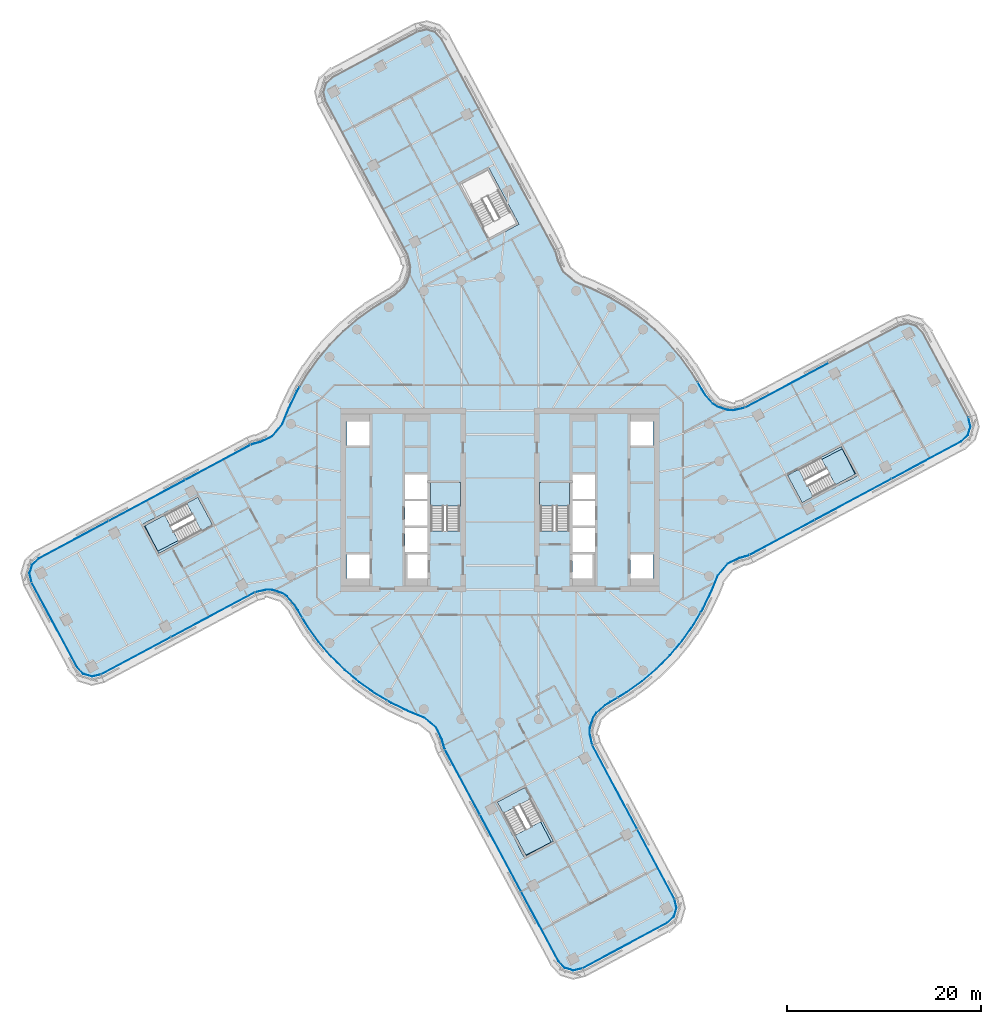
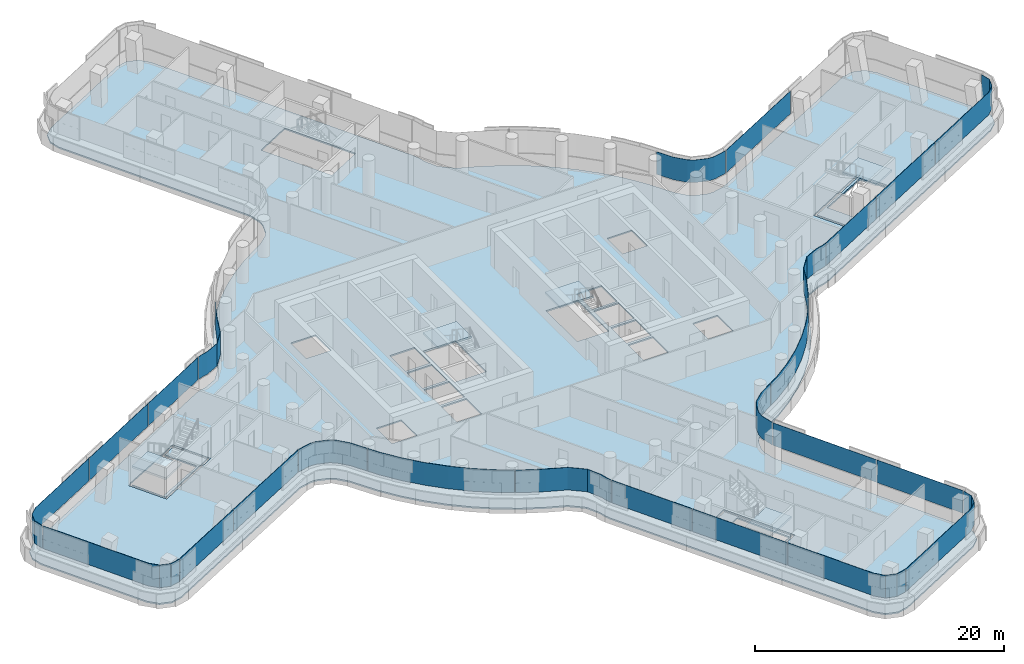
# One storey, part 17 of 33: 24 plates, 9 slabs, 17 elements without a shape of their own.
"""IFC4 building model written with IfcOpenShell, lengths in metres."""

from ifc_helpers import new_model, si_unit, direction, frame, origin, place, context, subcontext, project, spatial, polyline, outline, extrude, material, layer, layer_set, type_object, element, aggregate, save


model = new_model("IFC4")

# Units and contexts
model_context = context("Model", 3, precision=1e-05, world=origin(), true_north=direction((0.0, 1.0)))
body_context = subcontext(model_context, "Body", "Model", "MODEL_VIEW")
ifc_project = project(units=[si_unit("LENGTHUNIT", "METRE"), si_unit("AREAUNIT", "SQUARE_METRE"), si_unit("VOLUMEUNIT", "CUBIC_METRE"), si_unit("PLANEANGLEUNIT", "RADIAN"), si_unit("MASSUNIT", "GRAM", prefix="KILO")], contexts=[model_context])

# Site, building, storey
site_placement = place(None, origin())
site = spatial("IfcSite", under=ifc_project, at=site_placement, CompositionType="ELEMENT")
building_placement = place(site_placement, origin())
building = spatial("IfcBuilding", under=site, at=building_placement, Name="Tamarind Cross Interchange Tower", CompositionType="ELEMENT")
storey_placement = place(building_placement, frame((0.0, 0.0, 136.75)))
storey = spatial("IfcBuildingStorey", under=building, at=storey_placement, Name="L33", CompositionType="ELEMENT", Elevation=136.75)

# Slabs
ifc_material_1 = material(Name="Concrete C35", Category="concrete")
ifc_layer_1 = layer(ifc_material_1, 0.139892578125)
ifc_layer_set_1 = layer_set([ifc_layer_1], Name="Concrete C35")
slab_type_1 = type_object("IfcSlabType", Name="Composite slab 140 Concrete C35", PredefinedType="FLOOR", material=ifc_layer_set_1)
slab_1_placement = place(storey_placement, frame((0.0, 0.0, -0.139892578125)))
element("IfcSlab", 1, at=slab_1_placement, inside=storey, type_object=slab_type_1, Name="Floor slab L33", PredefinedType="FLOOR", context=body_context, shape_type="SweptSolid", body=[
    extrude(outline(polyline([(6.0419921875, 25.400634765625), (5.857421875, 25.888916015625), (-5.879638671875, 47.76953125), (-6.58837890625, 48.524169921875), (-7.57958984375, 48.8232421875), (-8.58740234375, 48.586669921875), (-17.399658203125, 43.859619140625), (-18.154296875, 43.15087890625), (-18.453369140625, 42.15966796875), (-18.216796875, 41.15185546875), (-9.7294921875, 25.254638671875), (-9.466064453125, 24.09912109375), (-9.48876953125, 23.579345703125), (-9.810791015625, 22.580078125), (-10.095947265625, 22.14501953125), (-10.98486328125, 21.361083984375), (-11.511474609375, 21.054443359375), (-13.2109375, 20.031982421875), (-14.820068359375, 18.87255859375), (-16.327880859375, 17.584228515625), (-17.72412109375, 16.17578125), (-18.99951171875, 14.656982421875), (-20.14501953125, 13.0380859375), (-21.15283203125, 11.329833984375), (-22.01611328125, 9.54443359375), (-22.67578125, 7.93408203125), (-23.651123046875, 6.746826171875), (-24.8330078125, 6.17529296875), (-25.400634765625, 6.0419921875), (-25.888916015625, 5.857421875), (-47.76953125, -5.879638671875), (-48.524169921875, -6.58837890625), (-48.8232421875, -7.57958984375), (-48.586669921875, -8.58740234375), (-43.859619140625, -17.399658203125), (-43.15087890625, -18.154296875), (-42.15966796875, -18.453369140625), (-41.15185546875, -18.216796875), (-25.254638671875, -9.7294921875), (-24.09912109375, -9.466064453125), (-23.579345703125, -9.48876953125), (-22.580078125, -9.810791015625), (-22.14501953125, -10.095947265625), (-21.361083984375, -10.98486328125), (-21.054443359375, -11.511474609375), (-20.031982421875, -13.2109375), (-18.87255859375, -14.820068359375), (-17.584228515625, -16.327880859375), (-16.17578125, -17.72412109375), (-14.656982421875, -18.99951171875), (-13.0380859375, -20.14501953125), (-11.329833984375, -21.15283203125), (-9.54443359375, -22.01611328125), (-7.93408203125, -22.67578125), (-6.746826171875, -23.651123046875), (-6.17529296875, -24.8330078125), (-6.0419921875, -25.400634765625), (-5.857421875, -25.888916015625), (5.879638671875, -47.76953125), (6.58837890625, -48.524169921875), (7.57958984375, -48.8232421875), (8.58740234375, -48.586669921875), (17.399658203125, -43.859619140625), (18.154296875, -43.15087890625), (18.453369140625, -42.15966796875), (18.216796875, -41.15185546875), (9.7294921875, -25.254638671875), (9.466064453125, -24.09912109375), (9.48876953125, -23.579345703125), (9.810791015625, -22.580078125), (10.095947265625, -22.14501953125), (10.98486328125, -21.361083984375), (11.511474609375, -21.054443359375), (13.2109375, -20.031982421875), (14.820068359375, -18.87255859375), (16.327880859375, -17.584228515625), (17.72412109375, -16.17578125), (18.99951171875, -14.656982421875), (20.14501953125, -13.0380859375), (21.15283203125, -11.329833984375), (22.01611328125, -9.54443359375), (22.67578125, -7.93408203125), (23.651123046875, -6.746826171875), (24.8330078125, -6.17529296875), (25.400634765625, -6.0419921875), (25.888916015625, -5.857421875), (47.76953125, 5.879638671875), (48.524169921875, 6.58837890625), (48.8232421875, 7.57958984375), (48.586669921875, 8.58740234375), (43.859619140625, 17.399658203125), (43.15087890625, 18.154296875), (42.15966796875, 18.453369140625), (41.15185546875, 18.216796875), (25.254638671875, 9.7294921875), (24.09912109375, 9.466064453125), (23.579345703125, 9.48876953125), (22.580078125, 9.810791015625), (22.14501953125, 10.095947265625), (21.361083984375, 10.98486328125), (21.054443359375, 11.511474609375), (20.031982421875, 13.2109375), (18.87255859375, 14.820068359375), (17.584228515625, 16.327880859375), (16.17578125, 17.72412109375), (14.656982421875, 18.99951171875), (13.0380859375, 20.14501953125), (11.329833984375, 21.15283203125), (9.54443359375, 22.01611328125), (7.93408203125, 22.67578125), (6.746826171875, 23.651123046875), (6.17529296875, 24.8330078125), (6.0419921875, 25.400634765625)]), holes=[polyline([(-7.5, -8.125), (-9.800048828125, -8.125), (-9.800048828125, -5.625), (-7.5, -5.625), (-7.5, -8.125)]), polyline([(-13.5, -8.125), (-15.800048828125, -8.125), (-15.800048828125, -5.625), (-13.5, -5.625), (-13.5, -8.125)]), polyline([(-31.142578125, 0.542724609375), (-31.048095703125, 0.36669921875), (-29.535400390625, -2.453369140625), (-29.44091796875, -2.629638671875), (-35.344970703125, -5.796630859375), (-35.439453125, -5.620361328125), (-36.9521484375, -2.800537109375), (-37.046630859375, -2.624267578125), (-36.79541015625, -2.489501953125), (-36.82275390625, -2.43603515625), (-33.89599609375, -0.93408203125), (-31.142578125, 0.542724609375)]), polyline([(-7.5, -5.375), (-9.800048828125, -5.375), (-9.800048828125, -2.875), (-7.5, -2.875), (-7.5, -5.375)]), polyline([(-7.5, -2.625), (-9.800048828125, -2.625), (-9.800048828125, -0.125), (-7.5, -0.125), (-7.5, -2.625)]), polyline([(-4.199951171875, 1.800048828125), (-4.199951171875, -3.18798828125), (-7.14990234375, -3.18798828125), (-7.14990234375, 1.800048828125), (-4.199951171875, 1.800048828125)]), polyline([(-7.5, 0.125), (-9.800048828125, 0.125), (-9.800048828125, 2.625), (-7.5, 2.625), (-7.5, 0.125)]), polyline([(-13.5, 5.625), (-15.800048828125, 5.625), (-15.800048828125, 8.125), (-13.5, 8.125), (-13.5, 5.625)]), polyline([(-1.21142578125, 26.797119140625), (-4.378662109375, 32.701416015625), (-4.202392578125, 32.7958984375), (-1.38232421875, 34.30859375), (-1.206298828125, 34.403076171875), (-1.071044921875, 34.1513671875), (-1.06640625, 34.15380859375), (-0.93408203125, 33.89599609375), (1.9609375, 28.498779296875), (1.78466796875, 28.404296875), (-1.03515625, 26.8916015625), (-1.21142578125, 26.797119140625)]), polyline([(-0.542724609375, -31.142578125), (-0.36669921875, -31.048095703125), (2.453369140625, -29.535400390625), (2.629638671875, -29.44091796875), (5.796630859375, -35.344970703125), (5.620361328125, -35.439453125), (2.800537109375, -36.9521484375), (2.624267578125, -37.046630859375), (2.489501953125, -36.79541015625), (2.43603515625, -36.82275390625), (0.93408203125, -33.89599609375), (-0.542724609375, -31.142578125)]), polyline([(13.5, -5.625), (15.800048828125, -5.625), (15.800048828125, -8.125), (13.5, -8.125), (13.5, -5.625)]), polyline([(7.5, -5.625), (9.800048828125, -5.625), (9.800048828125, -8.125), (7.5, -8.125), (7.5, -5.625)]), polyline([(7.5, -2.875), (9.800048828125, -2.875), (9.800048828125, -5.375), (7.5, -5.375), (7.5, -2.875)]), polyline([(7.5, -0.125), (9.800048828125, -0.125), (9.800048828125, -2.625), (7.5, -2.625), (7.5, -0.125)]), polyline([(7.14990234375, 1.800048828125), (7.14990234375, -3.18798828125), (4.199951171875, -3.18798828125), (4.199951171875, 1.800048828125), (7.14990234375, 1.800048828125)]), polyline([(31.142578125, -0.542724609375), (31.048095703125, -0.36669921875), (29.535400390625, 2.453369140625), (29.44091796875, 2.629638671875), (35.344970703125, 5.796630859375), (35.439453125, 5.620361328125), (36.9521484375, 2.800537109375), (37.046630859375, 2.624267578125), (36.79541015625, 2.489501953125), (36.82275390625, 2.43603515625), (33.89599609375, 0.93408203125), (31.142578125, -0.542724609375)]), polyline([(7.5, 2.625), (9.800048828125, 2.625), (9.800048828125, 0.125), (7.5, 0.125), (7.5, 2.625)]), polyline([(15.800048828125, 8.125), (15.800048828125, 5.625), (13.5, 5.625), (13.5, 8.125), (15.800048828125, 8.125)])]), origin(), (0.0, 0.0, 1.0), 0.139892578125),
])
slab_2_placement = place(storey_placement, frame((0.0, 0.0, -0.139892578125)))
element("IfcSlab", 2, at=slab_2_placement, inside=storey, type_object=slab_type_1, Name="Floor slab L33", PredefinedType="FLOOR", context=body_context, shape_type="SweptSolid", body=[
    extrude(outline(polyline([(-36.77587890625, -2.7060546875), (-35.26318359375, -5.52587890625), (-29.711669921875, -2.5478515625), (-31.22412109375, 0.27197265625), (-32.38037109375, -0.34814453125), (-30.947998046875, -3.018310546875), (-35.36181640625, -5.283203125), (-36.7041015625, -2.66748046875), (-36.77587890625, -2.7060546875)])), origin(), (0.0, 0.0, 1.0), 0.139892578125),
])
slab_3_placement = place(storey_placement, frame((0.0, 0.0, -0.139892578125)))
element("IfcSlab", 3, at=slab_3_placement, inside=storey, type_object=slab_type_1, Name="Floor slab L33", PredefinedType="FLOOR", context=body_context, shape_type="SweptSolid", body=[
    extrude(outline(polyline([(2.7060546875, -36.77587890625), (5.52587890625, -35.26318359375), (2.5478515625, -29.711669921875), (-0.27197265625, -31.22412109375), (0.34814453125, -32.38037109375), (3.018310546875, -30.947998046875), (5.283203125, -35.36181640625), (2.66748046875, -36.7041015625), (2.7060546875, -36.77587890625)])), origin(), (0.0, 0.0, 1.0), 0.139892578125),
])
slab_4_placement = place(storey_placement, frame((0.0, 0.0, -0.139892578125)))
element("IfcSlab", 4, at=slab_4_placement, inside=storey, type_object=slab_type_1, Name="Floor slab L33", PredefinedType="FLOOR", context=body_context, shape_type="SweptSolid", body=[
    extrude(outline(polyline([(36.77587890625, 2.7060546875), (35.26318359375, 5.52587890625), (29.711669921875, 2.5478515625), (31.22412109375, -0.27197265625), (32.38037109375, 0.34814453125), (30.947998046875, 3.018310546875), (35.36181640625, 5.283203125), (36.7041015625, 2.66748046875), (36.77587890625, 2.7060546875)])), origin(), (0.0, 0.0, 1.0), 0.139892578125),
])

# Stair, slab
ifc_material_2 = material(Name="Exit stair")
stair_type = type_object("IfcStairType", Name="Exit stair", PredefinedType="HALF_TURN_STAIR", material=ifc_material_2)
stair_1_placement = place(storey_placement, origin())
stair_1 = element("IfcStair", 5, at=stair_1_placement, inside=storey, type_object=stair_type, Name="L33 exit stair ST1", PredefinedType="HALF_TURN_STAIR")
ifc_material_3 = material(Name="Concrete C40", Category="concrete")
ifc_layer_2 = layer(ifc_material_3, 0.199951171875)
ifc_layer_set_2 = layer_set([ifc_layer_2], Name="Concrete C40")
slab_type_2 = type_object("IfcSlabType", Name="Stair landing", PredefinedType="LANDING", material=ifc_layer_set_2)
slab_5_placement = place(storey_placement, frame((0.0, 0.0, 1.675048828125)))
slab_5 = element("IfcSlab", 6, at=slab_5_placement, type_object=slab_type_2, Name="ST1 landing 1", PredefinedType="LANDING", context=body_context, shape_type="SweptSolid", body=[
    extrude(outline(polyline([(-4.10009765625, -0.60009765625), (-4.10009765625, 1.800048828125), (-7.199951171875, 1.800048828125), (-7.199951171875, -0.60009765625), (-4.10009765625, -0.60009765625)])), origin(), (0.0, 0.0, 1.0), 0.199951171875),
])
aggregate(stair_1, [slab_5])

stair_2_placement = place(storey_placement, origin())
stair_2 = element("IfcStair", 7, at=stair_2_placement, inside=storey, type_object=stair_type, Name="L33 exit stair ST2", PredefinedType="HALF_TURN_STAIR")
slab_6_placement = place(storey_placement, frame((0.0, 0.0, 1.675048828125)))
slab_6 = element("IfcSlab", 8, at=slab_6_placement, type_object=slab_type_2, Name="ST2 landing 1", PredefinedType="LANDING", context=body_context, shape_type="SweptSolid", body=[
    extrude(outline(polyline([(7.199951171875, -0.60009765625), (7.199951171875, 1.800048828125), (4.10009765625, 1.800048828125), (4.10009765625, -0.60009765625), (7.199951171875, -0.60009765625)])), origin(), (0.0, 0.0, 1.0), 0.199951171875),
])
aggregate(stair_2, [slab_6])

stair_3_placement = place(storey_placement, origin())
stair_3 = element("IfcStair", 9, at=stair_3_placement, inside=storey, type_object=stair_type, Name="L33 exit stair ST3", PredefinedType="HALF_TURN_STAIR")
slab_7_placement = place(storey_placement, frame((0.0, 0.0, 1.675048828125)))
slab_7 = element("IfcSlab", 10, at=slab_7_placement, type_object=slab_type_2, Name="ST3 landing 1", PredefinedType="LANDING", context=body_context, shape_type="SweptSolid", body=[
    extrude(outline(polyline([(34.650390625, 1.56591796875), (36.77587890625, 2.7060546875), (35.26318359375, 5.52587890625), (33.1376953125, 4.3857421875), (34.650390625, 1.56591796875)])), origin(), (0.0, 0.0, 1.0), 0.199951171875),
])
aggregate(stair_3, [slab_7])

stair_4_placement = place(storey_placement, origin())
stair_4 = element("IfcStair", 11, at=stair_4_placement, inside=storey, type_object=stair_type, Name="L33 exit stair ST5", PredefinedType="HALF_TURN_STAIR")
slab_8_placement = place(storey_placement, frame((0.0, 0.0, 1.675048828125)))
slab_8 = element("IfcSlab", 12, at=slab_8_placement, type_object=slab_type_2, Name="ST5 landing 1", PredefinedType="LANDING", context=body_context, shape_type="SweptSolid", body=[
    extrude(outline(polyline([(-34.650390625, -1.56591796875), (-36.77587890625, -2.7060546875), (-35.26318359375, -5.52587890625), (-33.1376953125, -4.3857421875), (-34.650390625, -1.56591796875)])), origin(), (0.0, 0.0, 1.0), 0.199951171875),
])
aggregate(stair_4, [slab_8])

stair_5_placement = place(storey_placement, origin())
stair_5 = element("IfcStair", 13, at=stair_5_placement, inside=storey, type_object=stair_type, Name="L33 exit stair ST6", PredefinedType="HALF_TURN_STAIR")
slab_9_placement = place(storey_placement, frame((0.0, 0.0, 1.675048828125)))
slab_9 = element("IfcSlab", 14, at=slab_9_placement, type_object=slab_type_2, Name="ST6 landing 1", PredefinedType="LANDING", context=body_context, shape_type="SweptSolid", body=[
    extrude(outline(polyline([(1.56591796875, -34.650390625), (2.7060546875, -36.77587890625), (5.52587890625, -35.26318359375), (4.3857421875, -33.1376953125), (1.56591796875, -34.650390625)])), origin(), (0.0, 0.0, 1.0), 0.199951171875),
])
aggregate(stair_5, [slab_9])

# Curtain wall, plate
ifc_material_4 = material(Name="Aluminium 6063-T6", Category="aluminium")
ifc_layer_3 = layer(ifc_material_4, 0.159912109375)
ifc_layer_set_3 = layer_set([ifc_layer_3], Name="Aluminium 6063-T6")
curtain_wall_type = type_object("IfcCurtainWallType", Name="Office curtain wall, 9.0 m bays", PredefinedType="NOTDEFINED", material=ifc_layer_set_3)
curtain_wall_1_placement = place(storey_placement, origin())
curtain_wall_1 = element("IfcCurtainWall", 15, at=curtain_wall_1_placement, inside=storey, type_object=curtain_wall_type, Name="CWS-L33-02", PredefinedType="NOTDEFINED")
ifc_material_5 = material(Name="Laminated low-e glass 8+1.52+8", Category="glass")
ifc_layer_4 = layer(ifc_material_5, 0.028076171875)
ifc_layer_set_4 = layer_set([ifc_layer_4], Name="Laminated low-e glass 8+1.52+8")
plate_type = type_object("IfcPlateType", Name="Vision panel CW1", PredefinedType="CURTAIN_PANEL", material=ifc_layer_set_4)
plate_1_placement = place(storey_placement, frame((0.0, 0.0, 1.39990234375)))
plate_1 = element("IfcPlate", 16, at=plate_1_placement, type_object=plate_type, Name="CWP-L33-02-02", PredefinedType="CURTAIN_PANEL", context=body_context, shape_type="SweptSolid", body=[
    extrude(outline(polyline([(-20.71533203125, 11.650390625), (-20.9638671875, 11.228759765625), (-21.820556640625, 9.457275390625), (-22.489990234375, 7.822998046875), (-23.515625, 6.57470703125), (-24.76123046875, 5.972412109375), (-25.338134765625, 5.8369140625), (-25.77294921875, 5.67236328125), (-25.782958984375, 5.69873046875), (-25.34619140625, 5.86376953125), (-24.7705078125, 5.998779296875), (-23.533447265625, 6.59716796875), (-22.51416015625, 7.837646484375), (-21.84619140625, 9.468505859375), (-20.98876953125, 11.241943359375), (-20.7392578125, 11.66455078125), (-20.71533203125, 11.650390625)])), origin(), (0.0, 0.0, 1.0), 2.210205078125),
])
aggregate(curtain_wall_1, [plate_1])

# Curtain wall, plates
curtain_wall_2_placement = place(storey_placement, origin())
curtain_wall_2 = element("IfcCurtainWall", 17, at=curtain_wall_2_placement, inside=storey, type_object=curtain_wall_type, Name="CWS-L33-03", PredefinedType="NOTDEFINED")
plate_2_placement = place(storey_placement, frame((0.0, 0.0, 1.39990234375)))
plate_2 = element("IfcPlate", 18, at=plate_2_placement, type_object=plate_type, Name="CWP-L33-03-00", PredefinedType="CURTAIN_PANEL", context=body_context, shape_type="SweptSolid", body=[
    extrude(outline(polyline([(-25.82568359375, 5.6484375), (-32.496337890625, 2.0703125), (-32.509521484375, 2.094970703125), (-25.839111328125, 5.673095703125), (-25.82568359375, 5.6484375)])), origin(), (0.0, 0.0, 1.0), 2.210205078125),
])
plate_3_placement = place(storey_placement, frame((0.0, 0.0, 1.39990234375)))
plate_3 = element("IfcPlate", 19, at=plate_3_placement, type_object=plate_type, Name="CWP-L33-03-01", PredefinedType="CURTAIN_PANEL", context=body_context, shape_type="SweptSolid", body=[
    extrude(outline(polyline([(-32.54931640625, 2.0419921875), (-40.414794921875, -2.17724609375), (-40.427978515625, -2.152587890625), (-32.5625, 2.066650390625), (-32.54931640625, 2.0419921875)])), origin(), (0.0, 0.0, 1.0), 2.210205078125),
])
plate_4_placement = place(storey_placement, frame((0.0, 0.0, 1.39990234375)))
plate_4 = element("IfcPlate", 20, at=plate_4_placement, type_object=plate_type, Name="CWP-L33-03-02", PredefinedType="CURTAIN_PANEL", context=body_context, shape_type="SweptSolid", body=[
    extrude(outline(polyline([(-40.4677734375, -2.20556640625), (-47.6435546875, -6.054931640625), (-48.335693359375, -6.705078125), (-48.601806640625, -7.58642578125), (-48.39111328125, -8.483642578125), (-48.41845703125, -8.489990234375), (-48.630615234375, -7.58544921875), (-48.3603515625, -6.68994140625), (-47.66015625, -6.031982421875), (-40.48095703125, -2.180908203125), (-40.4677734375, -2.20556640625)])), origin(), (0.0, 0.0, 1.0), 2.210205078125),
])
aggregate(curtain_wall_2, [plate_2, plate_3, plate_4])

# Curtain wall, plate
curtain_wall_3_placement = place(storey_placement, origin())
curtain_wall_3 = element("IfcCurtainWall", 21, at=curtain_wall_3_placement, inside=storey, type_object=curtain_wall_type, Name="CWS-L33-04", PredefinedType="NOTDEFINED")
plate_5_placement = place(storey_placement, frame((0.0, 0.0, 1.39990234375)))
plate_5 = element("IfcPlate", 22, at=plate_5_placement, type_object=plate_type, Name="CWP-L33-04-00", PredefinedType="CURTAIN_PANEL", context=body_context, shape_type="SweptSolid", body=[
    extrude(outline(polyline([(-48.371337890625, -8.535888671875), (-43.684326171875, -17.273681640625), (-43.0341796875, -17.9658203125), (-42.15283203125, -18.23193359375), (-41.25537109375, -18.021240234375), (-41.2490234375, -18.048583984375), (-42.153564453125, -18.2607421875), (-43.04931640625, -17.990478515625), (-43.707275390625, -17.290283203125), (-48.39599609375, -8.549072265625), (-48.371337890625, -8.535888671875)])), origin(), (0.0, 0.0, 1.0), 2.210205078125),
])
aggregate(curtain_wall_3, [plate_5])

# Curtain wall, plates
curtain_wall_4_placement = place(storey_placement, origin())
curtain_wall_4 = element("IfcCurtainWall", 23, at=curtain_wall_4_placement, inside=storey, type_object=curtain_wall_type, Name="CWS-L33-05", PredefinedType="NOTDEFINED")
plate_6_placement = place(storey_placement, frame((0.0, 0.0, 1.39990234375)))
plate_6 = element("IfcPlate", 24, at=plate_6_placement, type_object=plate_type, Name="CWP-L33-05-00", PredefinedType="CURTAIN_PANEL", context=body_context, shape_type="SweptSolid", body=[
    extrude(outline(polyline([(-41.203125, -18.00146484375), (-34.03271484375, -14.17333984375), (-34.01953125, -14.197998046875), (-41.18994140625, -18.026123046875), (-41.203125, -18.00146484375)])), origin(), (0.0, 0.0, 1.0), 2.210205078125),
])
plate_7_placement = place(storey_placement, frame((0.0, 0.0, 1.39990234375)))
plate_7 = element("IfcPlate", 25, at=plate_7_placement, type_object=plate_type, Name="CWP-L33-05-01", PredefinedType="CURTAIN_PANEL", context=body_context, shape_type="SweptSolid", body=[
    extrude(outline(polyline([(-33.979736328125, -14.145263671875), (-25.358154296875, -9.54248046875), (-25.344970703125, -9.567138671875), (-33.966552734375, -14.169921875), (-33.979736328125, -14.145263671875)])), origin(), (0.0, 0.0, 1.0), 2.210205078125),
])
aggregate(curtain_wall_4, [plate_6, plate_7])

curtain_wall_5_placement = place(storey_placement, origin())
curtain_wall_5 = element("IfcCurtainWall", 26, at=curtain_wall_5_placement, inside=storey, type_object=curtain_wall_type, Name="CWS-L33-06", PredefinedType="NOTDEFINED")
plate_8_placement = place(storey_placement, frame((0.0, 0.0, 1.39990234375)))
plate_8 = element("IfcPlate", 27, at=plate_8_placement, type_object=plate_type, Name="CWP-L33-06-00", PredefinedType="CURTAIN_PANEL", context=body_context, shape_type="SweptSolid", body=[
    extrude(outline(polyline([(-25.299072265625, -9.520263671875), (-24.118408203125, -9.2509765625), (-23.541259765625, -9.2763671875), (-22.487060546875, -9.6162109375), (-22.003662109375, -9.932861328125), (-21.1865234375, -10.859130859375), (-20.870361328125, -11.402587890625), (-20.42236328125, -12.14697265625), (-20.4462890625, -12.161376953125), (-20.894287109375, -11.416748046875), (-21.20947265625, -10.87548828125), (-22.022216796875, -9.9541015625), (-22.499267578125, -9.6416015625), (-23.546142578125, -9.303955078125), (-24.115966796875, -9.279052734375), (-25.292724609375, -9.547607421875), (-25.299072265625, -9.520263671875)])), origin(), (0.0, 0.0, 1.0), 2.210205078125),
])
plate_9_placement = place(storey_placement, frame((0.0, 0.0, 1.39990234375)))
plate_9 = element("IfcPlate", 28, at=plate_9_placement, type_object=plate_type, Name="CWP-L33-06-01", PredefinedType="CURTAIN_PANEL", context=body_context, shape_type="SweptSolid", body=[
    extrude(outline(polyline([(-20.391357421875, -12.198486328125), (-19.85302734375, -13.093017578125), (-18.7041015625, -14.687744140625), (-17.42724609375, -16.18212890625), (-16.031494140625, -17.56591796875), (-14.526123046875, -18.829833984375), (-12.921630859375, -19.965087890625), (-11.701904296875, -20.684814453125), (-11.71630859375, -20.708740234375), (-12.936767578125, -19.988525390625), (-14.543212890625, -18.85205078125), (-16.05029296875, -17.586669921875), (-17.44775390625, -16.201171875), (-18.72607421875, -14.705078125), (-19.87646484375, -13.1083984375), (-20.415283203125, -12.212890625), (-20.391357421875, -12.198486328125)])), origin(), (0.0, 0.0, 1.0), 2.210205078125),
])
plate_10_placement = place(storey_placement, frame((0.0, 0.0, 1.39990234375)))
plate_10 = element("IfcPlate", 29, at=plate_10_placement, type_object=plate_type, Name="CWP-L33-06-02", PredefinedType="CURTAIN_PANEL", context=body_context, shape_type="SweptSolid", body=[
    extrude(outline(polyline([(-11.650390625, -20.71533203125), (-11.228759765625, -20.9638671875), (-9.457275390625, -21.820556640625), (-7.822998046875, -22.489990234375), (-6.57470703125, -23.515625), (-5.972412109375, -24.76123046875), (-5.8369140625, -25.338134765625), (-5.67236328125, -25.77294921875), (-5.69873046875, -25.782958984375), (-5.86376953125, -25.34619140625), (-5.998779296875, -24.7705078125), (-6.59716796875, -23.533447265625), (-7.837646484375, -22.51416015625), (-9.468505859375, -21.84619140625), (-11.241943359375, -20.98876953125), (-11.66455078125, -20.7392578125), (-11.650390625, -20.71533203125)])), origin(), (0.0, 0.0, 1.0), 2.210205078125),
])
aggregate(curtain_wall_5, [plate_8, plate_9, plate_10])

curtain_wall_6_placement = place(storey_placement, origin())
curtain_wall_6 = element("IfcCurtainWall", 30, at=curtain_wall_6_placement, inside=storey, type_object=curtain_wall_type, Name="CWS-L33-07", PredefinedType="NOTDEFINED")
plate_11_placement = place(storey_placement, frame((0.0, 0.0, 1.39990234375)))
plate_11 = element("IfcPlate", 31, at=plate_11_placement, type_object=plate_type, Name="CWP-L33-07-00", PredefinedType="CURTAIN_PANEL", context=body_context, shape_type="SweptSolid", body=[
    extrude(outline(polyline([(-5.6484375, -25.82568359375), (-2.0703125, -32.496337890625), (-2.094970703125, -32.509521484375), (-5.673095703125, -25.839111328125), (-5.6484375, -25.82568359375)])), origin(), (0.0, 0.0, 1.0), 2.210205078125),
])
plate_12_placement = place(storey_placement, frame((0.0, 0.0, 1.39990234375)))
plate_12 = element("IfcPlate", 32, at=plate_12_placement, type_object=plate_type, Name="CWP-L33-07-01", PredefinedType="CURTAIN_PANEL", context=body_context, shape_type="SweptSolid", body=[
    extrude(outline(polyline([(-2.0419921875, -32.54931640625), (2.17724609375, -40.414794921875), (2.152587890625, -40.427978515625), (-2.066650390625, -32.5625), (-2.0419921875, -32.54931640625)])), origin(), (0.0, 0.0, 1.0), 2.210205078125),
])
plate_13_placement = place(storey_placement, frame((0.0, 0.0, 1.39990234375)))
plate_13 = element("IfcPlate", 33, at=plate_13_placement, type_object=plate_type, Name="CWP-L33-07-02", PredefinedType="CURTAIN_PANEL", context=body_context, shape_type="SweptSolid", body=[
    extrude(outline(polyline([(2.20556640625, -40.4677734375), (6.054931640625, -47.6435546875), (6.705078125, -48.335693359375), (7.58642578125, -48.601806640625), (8.483642578125, -48.39111328125), (8.489990234375, -48.41845703125), (7.58544921875, -48.630615234375), (6.68994140625, -48.3603515625), (6.031982421875, -47.66015625), (2.180908203125, -40.48095703125), (2.20556640625, -40.4677734375)])), origin(), (0.0, 0.0, 1.0), 2.210205078125),
])
aggregate(curtain_wall_6, [plate_11, plate_12, plate_13])

# Curtain wall, plate
curtain_wall_7_placement = place(storey_placement, origin())
curtain_wall_7 = element("IfcCurtainWall", 34, at=curtain_wall_7_placement, inside=storey, type_object=curtain_wall_type, Name="CWS-L33-08", PredefinedType="NOTDEFINED")
plate_14_placement = place(storey_placement, frame((0.0, 0.0, 1.39990234375)))
plate_14 = element("IfcPlate", 35, at=plate_14_placement, type_object=plate_type, Name="CWP-L33-08-00", PredefinedType="CURTAIN_PANEL", context=body_context, shape_type="SweptSolid", body=[
    extrude(outline(polyline([(8.535888671875, -48.371337890625), (17.273681640625, -43.684326171875), (17.9658203125, -43.0341796875), (18.23193359375, -42.15283203125), (18.021240234375, -41.25537109375), (18.048583984375, -41.2490234375), (18.2607421875, -42.153564453125), (17.990478515625, -43.04931640625), (17.290283203125, -43.707275390625), (8.549072265625, -48.39599609375), (8.535888671875, -48.371337890625)])), origin(), (0.0, 0.0, 1.0), 2.210205078125),
])
aggregate(curtain_wall_7, [plate_14])

# Curtain wall, plates
curtain_wall_8_placement = place(storey_placement, origin())
curtain_wall_8 = element("IfcCurtainWall", 36, at=curtain_wall_8_placement, inside=storey, type_object=curtain_wall_type, Name="CWS-L33-09", PredefinedType="NOTDEFINED")
plate_15_placement = place(storey_placement, frame((0.0, 0.0, 1.39990234375)))
plate_15 = element("IfcPlate", 37, at=plate_15_placement, type_object=plate_type, Name="CWP-L33-09-00", PredefinedType="CURTAIN_PANEL", context=body_context, shape_type="SweptSolid", body=[
    extrude(outline(polyline([(18.00146484375, -41.203125), (14.17333984375, -34.03271484375), (14.197998046875, -34.01953125), (18.026123046875, -41.18994140625), (18.00146484375, -41.203125)])), origin(), (0.0, 0.0, 1.0), 2.210205078125),
])
plate_16_placement = place(storey_placement, frame((0.0, 0.0, 1.39990234375)))
plate_16 = element("IfcPlate", 38, at=plate_16_placement, type_object=plate_type, Name="CWP-L33-09-01", PredefinedType="CURTAIN_PANEL", context=body_context, shape_type="SweptSolid", body=[
    extrude(outline(polyline([(14.145263671875, -33.979736328125), (9.54248046875, -25.358154296875), (9.567138671875, -25.344970703125), (14.169921875, -33.966552734375), (14.145263671875, -33.979736328125)])), origin(), (0.0, 0.0, 1.0), 2.210205078125),
])
aggregate(curtain_wall_8, [plate_15, plate_16])

curtain_wall_9_placement = place(storey_placement, origin())
curtain_wall_9 = element("IfcCurtainWall", 39, at=curtain_wall_9_placement, inside=storey, type_object=curtain_wall_type, Name="CWS-L33-10", PredefinedType="NOTDEFINED")
plate_17_placement = place(storey_placement, frame((0.0, 0.0, 1.39990234375)))
plate_17 = element("IfcPlate", 40, at=plate_17_placement, type_object=plate_type, Name="CWP-L33-10-00", PredefinedType="CURTAIN_PANEL", context=body_context, shape_type="SweptSolid", body=[
    extrude(outline(polyline([(9.520263671875, -25.299072265625), (9.2509765625, -24.118408203125), (9.2763671875, -23.541259765625), (9.6162109375, -22.487060546875), (9.932861328125, -22.003662109375), (10.859130859375, -21.1865234375), (11.402587890625, -20.870361328125), (12.14697265625, -20.42236328125), (12.161376953125, -20.4462890625), (11.416748046875, -20.894287109375), (10.87548828125, -21.20947265625), (9.9541015625, -22.022216796875), (9.6416015625, -22.499267578125), (9.303955078125, -23.546142578125), (9.279052734375, -24.115966796875), (9.547607421875, -25.292724609375), (9.520263671875, -25.299072265625)])), origin(), (0.0, 0.0, 1.0), 2.210205078125),
])
plate_18_placement = place(storey_placement, frame((0.0, 0.0, 1.39990234375)))
plate_18 = element("IfcPlate", 41, at=plate_18_placement, type_object=plate_type, Name="CWP-L33-10-01", PredefinedType="CURTAIN_PANEL", context=body_context, shape_type="SweptSolid", body=[
    extrude(outline(polyline([(12.198486328125, -20.391357421875), (13.093017578125, -19.85302734375), (14.687744140625, -18.7041015625), (16.18212890625, -17.42724609375), (17.56591796875, -16.031494140625), (18.829833984375, -14.526123046875), (19.965087890625, -12.921630859375), (20.684814453125, -11.701904296875), (20.708740234375, -11.71630859375), (19.988525390625, -12.936767578125), (18.85205078125, -14.543212890625), (17.586669921875, -16.05029296875), (16.201171875, -17.44775390625), (14.705078125, -18.72607421875), (13.1083984375, -19.87646484375), (12.212890625, -20.415283203125), (12.198486328125, -20.391357421875)])), origin(), (0.0, 0.0, 1.0), 2.210205078125),
])
plate_19_placement = place(storey_placement, frame((0.0, 0.0, 1.39990234375)))
plate_19 = element("IfcPlate", 42, at=plate_19_placement, type_object=plate_type, Name="CWP-L33-10-02", PredefinedType="CURTAIN_PANEL", context=body_context, shape_type="SweptSolid", body=[
    extrude(outline(polyline([(20.71533203125, -11.650390625), (20.9638671875, -11.228759765625), (21.820556640625, -9.457275390625), (22.489990234375, -7.822998046875), (23.515625, -6.57470703125), (24.76123046875, -5.972412109375), (25.338134765625, -5.8369140625), (25.77294921875, -5.67236328125), (25.782958984375, -5.69873046875), (25.34619140625, -5.86376953125), (24.7705078125, -5.998779296875), (23.533447265625, -6.59716796875), (22.51416015625, -7.837646484375), (21.84619140625, -9.468505859375), (20.98876953125, -11.241943359375), (20.7392578125, -11.66455078125), (20.71533203125, -11.650390625)])), origin(), (0.0, 0.0, 1.0), 2.210205078125),
])
aggregate(curtain_wall_9, [plate_17, plate_18, plate_19])

curtain_wall_10_placement = place(storey_placement, origin())
curtain_wall_10 = element("IfcCurtainWall", 43, at=curtain_wall_10_placement, inside=storey, type_object=curtain_wall_type, Name="CWS-L33-11", PredefinedType="NOTDEFINED")
plate_20_placement = place(storey_placement, frame((0.0, 0.0, 1.39990234375)))
plate_20 = element("IfcPlate", 44, at=plate_20_placement, type_object=plate_type, Name="CWP-L33-11-00", PredefinedType="CURTAIN_PANEL", context=body_context, shape_type="SweptSolid", body=[
    extrude(outline(polyline([(25.82568359375, -5.6484375), (32.496337890625, -2.0703125), (32.509521484375, -2.094970703125), (25.839111328125, -5.673095703125), (25.82568359375, -5.6484375)])), origin(), (0.0, 0.0, 1.0), 2.210205078125),
])
plate_21_placement = place(storey_placement, frame((0.0, 0.0, 1.39990234375)))
plate_21 = element("IfcPlate", 45, at=plate_21_placement, type_object=plate_type, Name="CWP-L33-11-01", PredefinedType="CURTAIN_PANEL", context=body_context, shape_type="SweptSolid", body=[
    extrude(outline(polyline([(32.54931640625, -2.0419921875), (40.414794921875, 2.17724609375), (40.427978515625, 2.152587890625), (32.5625, -2.066650390625), (32.54931640625, -2.0419921875)])), origin(), (0.0, 0.0, 1.0), 2.210205078125),
])
plate_22_placement = place(storey_placement, frame((0.0, 0.0, 1.39990234375)))
plate_22 = element("IfcPlate", 46, at=plate_22_placement, type_object=plate_type, Name="CWP-L33-11-02", PredefinedType="CURTAIN_PANEL", context=body_context, shape_type="SweptSolid", body=[
    extrude(outline(polyline([(40.4677734375, 2.20556640625), (47.6435546875, 6.054931640625), (48.335693359375, 6.705078125), (48.601806640625, 7.58642578125), (48.39111328125, 8.483642578125), (48.41845703125, 8.489990234375), (48.630615234375, 7.58544921875), (48.3603515625, 6.68994140625), (47.66015625, 6.031982421875), (40.48095703125, 2.180908203125), (40.4677734375, 2.20556640625)])), origin(), (0.0, 0.0, 1.0), 2.210205078125),
])
aggregate(curtain_wall_10, [plate_20, plate_21, plate_22])

# Curtain wall, plate
curtain_wall_11_placement = place(storey_placement, origin())
curtain_wall_11 = element("IfcCurtainWall", 47, at=curtain_wall_11_placement, inside=storey, type_object=curtain_wall_type, Name="CWS-L33-13", PredefinedType="NOTDEFINED")
plate_23_placement = place(storey_placement, frame((0.0, 0.0, 1.39990234375)))
plate_23 = element("IfcPlate", 48, at=plate_23_placement, type_object=plate_type, Name="CWP-L33-13-01", PredefinedType="CURTAIN_PANEL", context=body_context, shape_type="SweptSolid", body=[
    extrude(outline(polyline([(33.979736328125, 14.145263671875), (25.358154296875, 9.54248046875), (25.344970703125, 9.567138671875), (33.966552734375, 14.169921875), (33.979736328125, 14.145263671875)])), origin(), (0.0, 0.0, 1.0), 2.210205078125),
])
aggregate(curtain_wall_11, [plate_23])

curtain_wall_12_placement = place(storey_placement, origin())
curtain_wall_12 = element("IfcCurtainWall", 49, at=curtain_wall_12_placement, inside=storey, type_object=curtain_wall_type, Name="CWS-L33-14", PredefinedType="NOTDEFINED")
plate_24_placement = place(storey_placement, frame((0.0, 0.0, 1.39990234375)))
plate_24 = element("IfcPlate", 50, at=plate_24_placement, type_object=plate_type, Name="CWP-L33-14-00", PredefinedType="CURTAIN_PANEL", context=body_context, shape_type="SweptSolid", body=[
    extrude(outline(polyline([(25.299072265625, 9.520263671875), (24.118408203125, 9.2509765625), (23.541259765625, 9.2763671875), (22.487060546875, 9.6162109375), (22.003662109375, 9.932861328125), (21.1865234375, 10.859130859375), (20.870361328125, 11.402587890625), (20.42236328125, 12.14697265625), (20.4462890625, 12.161376953125), (20.894287109375, 11.416748046875), (21.20947265625, 10.87548828125), (22.022216796875, 9.9541015625), (22.499267578125, 9.6416015625), (23.546142578125, 9.303955078125), (24.115966796875, 9.279052734375), (25.292724609375, 9.547607421875), (25.299072265625, 9.520263671875)])), origin(), (0.0, 0.0, 1.0), 2.210205078125),
])
aggregate(curtain_wall_12, [plate_24])

save(model, "model.ifc")
